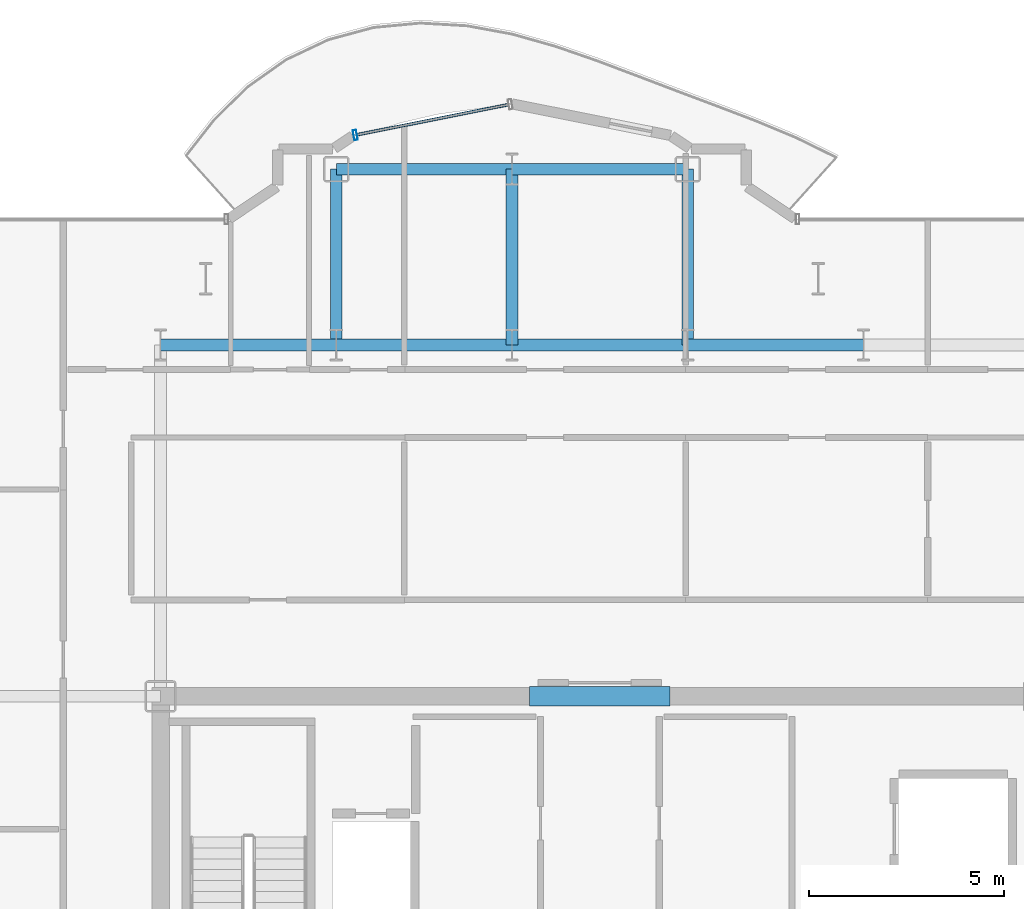
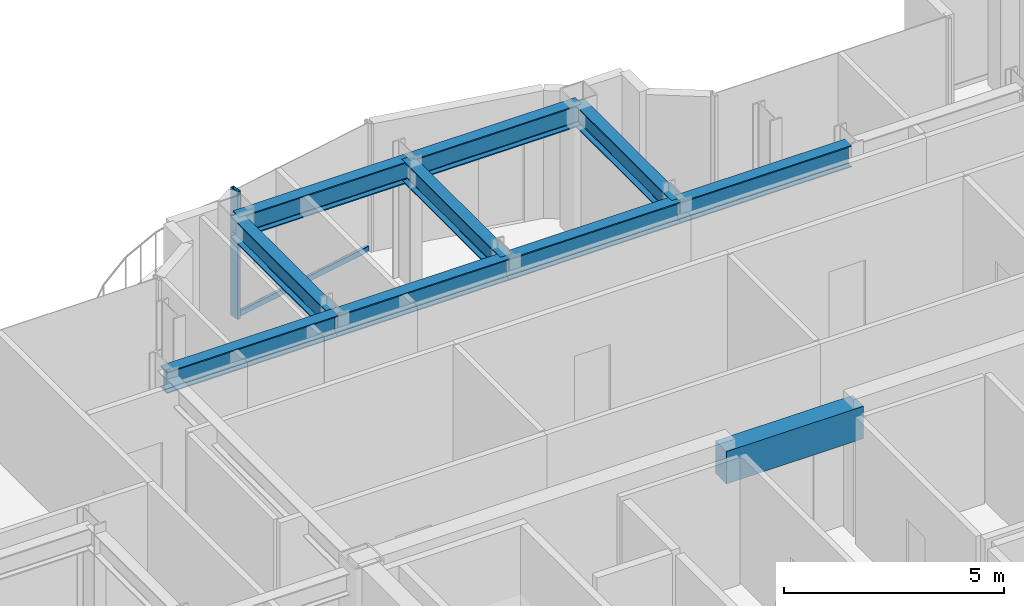
# One storey, part 10 of 22: 10 beams, 2 members, 1 element without a shape of its own.
"""IFC4 building model written with IfcOpenShell, lengths in metres."""

from ifc_helpers import new_model, si_unit, direction, frame, origin, origin_2d, place, context, subcontext, project, spatial, rectangle, hollow_rectangle, i_section, extrude, source, transform, mapped, material, layer, layer_set, material_profile, profile_set, type_object, element, aggregate, save


model = new_model("IFC4")

# Units and contexts
model_context = context("Model", 3, precision=1e-05, world=origin(), true_north=direction((0.0, 1.0)))
body_context = subcontext(model_context, "Body", "Model", "MODEL_VIEW")
ifc_project = project(units=[si_unit("LENGTHUNIT", "METRE"), si_unit("AREAUNIT", "SQUARE_METRE"), si_unit("VOLUMEUNIT", "CUBIC_METRE"), si_unit("PLANEANGLEUNIT", "RADIAN"), si_unit("MASSUNIT", "GRAM", prefix="KILO")], contexts=[model_context])

# Site, building, storey
site_placement = place(None, origin())
site = spatial("IfcSite", under=ifc_project, at=site_placement, CompositionType="ELEMENT")
building_placement = place(site_placement, origin())
building = spatial("IfcBuilding", under=site, at=building_placement, Name="Nefas-Gora Pilgrimage Tower", CompositionType="ELEMENT")
storey_placement = place(building_placement, frame((0.0, 0.0, 240.800048828125)))
storey = spatial("IfcBuildingStorey", under=building, at=storey_placement, Name="L60", CompositionType="ELEMENT", Elevation=240.800048828125)

# Beams
ifc_material_1 = material(Name="Concrete C50/60", Category="concrete")
ifc_material_profile_1 = material_profile(ifc_material_1, rectangle(XDim=0.5, YDim=0.89990234375, at=origin_2d()), Name="RC 500x900")
ifc_profile_set_1 = profile_set([ifc_material_profile_1], Name="Concrete C50/60")
beam_type_1 = type_object("IfcBeamType", Name="BM-LIN-RC900", PredefinedType="LINTEL", material=ifc_profile_set_1)
shared_shape_1 = source(origin(), body_context, "Body", "SweptSolid", [
    extrude(rectangle(XDim=0.5, YDim=0.89990234375, at=origin_2d()), origin(), (0.0, 0.0, 1.0), 3.60009765625),
])
beam_placement = place(storey_placement, frame((-1.800048828125, 9.0, 3.099853515625), z_axis=(1.0, 0.0, 0.0), x_axis=(0.0, 1.0, 0.0)))
element("IfcBeam", 1, at=beam_placement, inside=storey, type_object=beam_type_1, Name="L60 Core Coupling Lintel Beam N", PredefinedType="LINTEL", context=body_context, shape_type="MappedRepresentation", body=[
    mapped(shared_shape_1, transform((0.0, 0.0, 0.0), x_axis=(1.0, 0.0, 0.0), y_axis=(0.0, 1.0, 0.0), z_axis=(0.0, 0.0, 1.0), scale=1.0)),
])
ifc_material_2 = material(Name="Steel S355", Category="steel")
ifc_material_profile_2 = material_profile(ifc_material_2, i_section(OverallWidth=0.300048828125, OverallDepth=0.60009765625, WebThickness=0.015380859375, FlangeThickness=0.030029296875, FilletRadius=0.027099609375, at=origin_2d()), Name="HEB 600")
ifc_profile_set_2 = profile_set([ifc_material_profile_2], Name="Steel S355")
beam_type_2 = type_object("IfcBeamType", Name="BM-GIR-HEB600", PredefinedType="BEAM", material=ifc_profile_set_2)
shared_shape_2 = source(origin(), body_context, "Body", "SweptSolid", [
    extrude(i_section(OverallWidth=0.300048828125, OverallDepth=0.60009765625, WebThickness=0.015380859375, FlangeThickness=0.030029296875, FilletRadius=0.027099609375, at=origin_2d()), origin(), (0.0, 0.0, 1.0), 4.5),
])
for number, where, z_axis, x_axis, name in (
    (2, (-11.25, 18.0, 3.25), (1.0, 0.0, 0.0), (0.0, 1.0, 0.0), "L60 G-04 beam"),
    (3, (-6.75, 18.0, 3.25), (0.0, 1.0, 0.0), (-1.0, 0.0, 0.0), "L60 G-04 beam"),
    (4, (-6.75, 18.0, 3.25), (1.0, 0.0, 0.0), (0.0, 1.0, 0.0), "L60 G-04 beam"),
    (5, (-6.75, 22.5, 3.25), (1.0, 0.0, 0.0), (0.0, 1.0, 0.0), "L60 G-04 beam"),
    (6, (-2.25, 18.0, 3.25), (0.0, 1.0, 0.0), (-1.0, 0.0, 0.0), "L60 G-04 beam"),
    (7, (-2.25, 18.0, 3.25), (1.0, 0.0, 0.0), (0.0, 1.0, 0.0), "L60 G-04 beam"),
    (8, (-2.25, 22.5, 3.25), (1.0, 0.0, 0.0), (0.0, 1.0, 0.0), "L60 G-04 beam"),
    (9, (2.25, 18.0, 3.25), (0.0, 1.0, 0.0), (-1.0, 0.0, 0.0), "L60 G-04 beam"),
    (10, (2.25, 18.0, 3.25), (1.0, 0.0, 0.0), (0.0, 1.0, 0.0), "L60 G-04 beam"),
):
    element("IfcBeam", number, at=place(storey_placement, frame(where, z_axis=z_axis, x_axis=x_axis)), inside=storey, type_object=beam_type_2, Name=name, PredefinedType="BEAM", context=body_context, shape_type="MappedRepresentation", body=[
        mapped(shared_shape_2, transform((0.0, 0.0, 0.0), x_axis=(1.0, 0.0, 0.0), y_axis=(0.0, 1.0, 0.0), z_axis=(0.0, 0.0, 1.0), scale=1.0)),
    ])

# Curtain wall, members
ifc_material_3 = material(Name="Dark ceramic-fritted solar-control aluminium-glass curtain wall", Category="aluminium")
ifc_layer = layer(ifc_material_3, 0.219970703125)
ifc_layer_set = layer_set([ifc_layer], Name="Dark ceramic-fritted solar-control aluminium-glass curtain wall")
curtain_wall_type = type_object("IfcCurtainWallType", Name="CW-SYS-5", PredefinedType="NOTDEFINED", material=ifc_layer_set)
curtain_wall_placement = place(storey_placement, origin())
curtain_wall = element("IfcCurtainWall", 11, at=curtain_wall_placement, inside=storey, type_object=curtain_wall_type, Name="L60 Unitised Curtain Wall CW5", PredefinedType="NOTDEFINED")
ifc_material_4 = material(Name="Anodised architectural aluminium", Category="aluminium")
ifc_material_profile_3 = material_profile(ifc_material_4, hollow_rectangle(XDim=0.090087890625, YDim=0.260009765625, WallThickness=0.006103515625, InnerFilletRadius=0.006103515625, OuterFilletRadius=0.011962890625, at=origin_2d()), Name="ALU MULLION 90x260")
ifc_profile_set_3 = profile_set([ifc_material_profile_3], Name="Anodised architectural aluminium")
member_type_1 = type_object("IfcMemberType", Name="CWM-MUL-5", PredefinedType="MULLION", material=ifc_profile_set_3)
shared_shape_3 = source(origin(), body_context, "Body", "SweptSolid", [
    extrude(hollow_rectangle(XDim=0.090087890625, YDim=0.260009765625, WallThickness=0.006103515625, InnerFilletRadius=0.006103515625, OuterFilletRadius=0.011962890625, at=origin_2d()), origin(), (0.0, 0.0, 1.0), 3.550048828125),
])
member_1_placement = place(storey_placement, frame((-6.26318359375, 23.3740234375, 0.0), z_axis=(0.0, 0.0, 1.0), x_axis=(-0.980782896852, -0.195102304554, 0.0)))
member_1 = element("IfcMember", 12, at=member_1_placement, type_object=member_type_1, Name="CW5 Mullion 2", PredefinedType="MULLION", context=body_context, shape_type="MappedRepresentation", body=[
    mapped(shared_shape_3, transform((0.0, 0.0, 0.0), x_axis=(1.0, 0.0, 0.0), y_axis=(0.0, 1.0, 0.0), z_axis=(0.0, 0.0, 1.0), scale=1.0)),
])
ifc_material_profile_4 = material_profile(ifc_material_4, hollow_rectangle(XDim=0.080078125, YDim=0.159912109375, WallThickness=0.00439453125, InnerFilletRadius=0.00439453125, OuterFilletRadius=0.009033203125, at=origin_2d()), Name="ALU TRANSOM 80x160")
ifc_profile_set_4 = profile_set([ifc_material_profile_4], Name="Anodised architectural aluminium")
member_type_2 = type_object("IfcMemberType", Name="CWM-TRN-5", PredefinedType="USERDEFINED", material=ifc_profile_set_4)
shared_shape_4 = source(origin(), body_context, "Body", "SweptSolid", [
    extrude(hollow_rectangle(XDim=0.080078125, YDim=0.159912109375, WallThickness=0.00439453125, InnerFilletRadius=0.00439453125, OuterFilletRadius=0.009033203125, at=origin_2d()), origin(), (0.0, 0.0, 1.0), 3.95654296875),
])
member_2_placement = place(storey_placement, frame((-2.33837890625, 24.15478515625, 0.050048828125), z_axis=(-0.980781880918, -0.195107411605, 0.0), x_axis=(0.195107411605, -0.980781880918, 0.0)))
member_2 = element("IfcMember", 13, at=member_2_placement, type_object=member_type_2, Name="CW5 Spandrel Transom", ObjectType="TRANSOM", PredefinedType="USERDEFINED", context=body_context, shape_type="MappedRepresentation", body=[
    mapped(shared_shape_4, transform((0.0, 0.0, 0.0), x_axis=(1.0, 0.0, 0.0), y_axis=(0.0, 1.0, 0.0), z_axis=(0.0, 0.0, 1.0), scale=1.0)),
])
aggregate(curtain_wall, [member_1, member_2])

save(model, "model.ifc")
